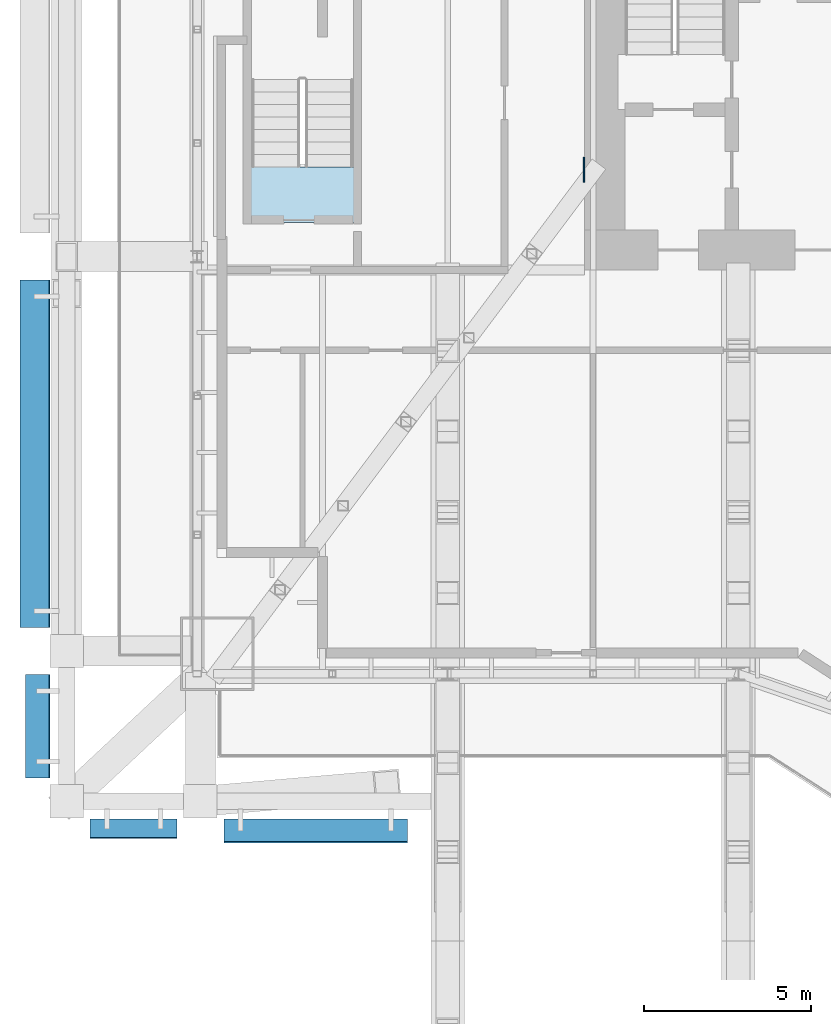
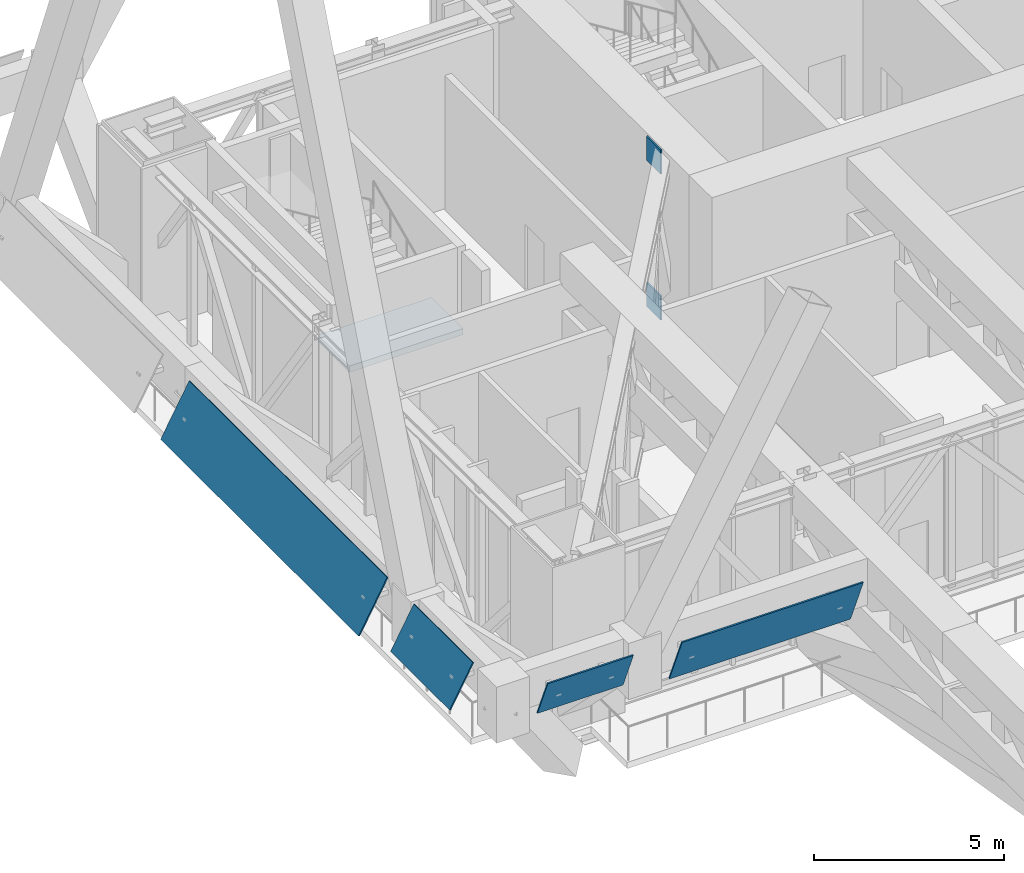
# One storey, part 20 of 30: 6 plates, 1 slab, 1 element without a shape of its own.
"""IFC4 building model written with IfcOpenShell, lengths in metres."""

from ifc_helpers import new_model, si_unit, direction, frame, origin, origin_2d, place, context, subcontext, project, spatial, polyline, rectangle, outline, extrude, material, layer, layer_set, type_object, element, aggregate, save


model = new_model("IFC4")

# Units and contexts
model_context = context("Model", 3, precision=1e-05, world=origin(), true_north=direction((0.0, 1.0)))
body_context = subcontext(model_context, "Body", "Model", "MODEL_VIEW")
ifc_project = project(units=[si_unit("LENGTHUNIT", "METRE"), si_unit("AREAUNIT", "SQUARE_METRE"), si_unit("VOLUMEUNIT", "CUBIC_METRE"), si_unit("PLANEANGLEUNIT", "RADIAN"), si_unit("MASSUNIT", "GRAM", prefix="KILO")], contexts=[model_context])

# Site, building, storey
site_placement = place(None, origin())
site = spatial("IfcSite", under=ifc_project, at=site_placement, CompositionType="ELEMENT")
building_placement = place(site_placement, origin())
building = spatial("IfcBuilding", under=site, at=building_placement, Name="Bicima Exchange Tower", CompositionType="ELEMENT")
storey_placement = place(building_placement, frame((0.0, 0.0, 287.60009765625)))
storey = spatial("IfcBuildingStorey", under=building, at=storey_placement, Name="L65", CompositionType="ELEMENT", Elevation=287.60009765625)

# Plates
ifc_material_1 = material(Name="Dark tinted spandrel glass", Category="glass")
ifc_layer_1 = layer(ifc_material_1, 0.0400390625)
ifc_layer_set_1 = layer_set([ifc_layer_1], Name="Dark tinted spandrel glass")
plate_type_1 = type_object("IfcPlateType", Name="Belt fascia glass panel 40", PredefinedType="SHEET", material=ifc_layer_set_1)
plate_1_placement = place(storey_placement, frame((-36.800048828125, -29.4306640625, 4.0498046875), z_axis=(0.0, 0.919715682457, 0.39258510344), x_axis=(1.0, 0.0, 0.0)))
element("IfcPlate", 1, at=plate_1_placement, inside=storey, type_object=plate_type_1, Name="Belt fascia glass panel", PredefinedType="SHEET", context=body_context, shape_type="SweptSolid", body=[
    extrude(outline(polyline([(0.0, 0.0), (2.60009765625, 0.0), (2.60009765625, -1.3917663048388182), (0.0, -1.3917663048388182), (0.0, 0.0)])), origin(), (0.0, 0.0, -1.0), 0.0400390625),
])
plate_2_placement = place(storey_placement, frame((-32.800048828125, -29.4306640625, 3.75), z_axis=(0.0, 0.919724804626, 0.392563732094), x_axis=(1.0, 0.0, 0.0)))
element("IfcPlate", 2, at=plate_2_placement, inside=storey, type_object=plate_type_1, Name="Belt fascia glass panel", PredefinedType="SHEET", context=body_context, shape_type="SweptSolid", body=[
    extrude(outline(polyline([(0.0, 0.0), (5.5, 0.0), (5.5, -1.7177246676706084), (0.0, -1.7177246676706084), (0.0, 0.0)])), origin(), (0.0, 0.0, -1.0), 0.0400390625),
])
plate_3_placement = place(storey_placement, frame((-38.897216796875, -13.300048828125, 3.75), z_axis=(-0.876618888201, 0.0, 0.481185333162), x_axis=(0.0, -1.0, 0.0)))
element("IfcPlate", 3, at=plate_3_placement, inside=storey, type_object=plate_type_1, Name="Belt fascia glass panel", PredefinedType="SHEET", context=body_context, shape_type="SweptSolid", body=[
    extrude(outline(polyline([(0.0, 0.0), (10.400634765625, 0.0), (10.400634765625, 1.8021902170255055), (0.0, 1.8021902170255055), (0.0, 0.0)])), origin(), (0.0, 0.0, -1.0), 0.0400390625),
])
plate_4_placement = place(storey_placement, frame((-38.732421875, -25.1005859375, 4.0498046875), z_axis=(-0.876685030348, 0.0, 0.481064816386), x_axis=(0.0, -1.0, 0.0)))
element("IfcPlate", 4, at=plate_4_placement, inside=storey, type_object=plate_type_1, Name="Belt fascia glass panel", PredefinedType="SHEET", context=body_context, shape_type="SweptSolid", body=[
    extrude(outline(polyline([(0.0, 0.0), (3.10009765625, 0.0), (3.10009765625, 1.4600788796032191), (0.0, 1.4600788796032191), (0.0, 0.0)])), origin(), (0.0, 0.0, -1.0), 0.0400390625),
])
ifc_material_2 = material(Name="Steel ASTM A572 Gr 50", Category="steel")
ifc_layer_2 = layer(ifc_material_2, 0.0400390625)
ifc_layer_set_2 = layer_set([ifc_layer_2], Name="Steel ASTM A572 Gr 50")
plate_type_2 = type_object("IfcPlateType", Name="Cast-in plate 40", PredefinedType="SHEET", material=ifc_layer_set_2)
for number, where, z_axis, x_axis, name in (
    (5, (-22.02001953125, -10.0, 4.580810546875), (0.0, 0.0, 1.0), (1.0, 0.0, 0.0), "Cast-in plate at core wall"),
    (6, (-22.02001953125, -10.0, -0.10009765625), (0.0, 0.0, 1.0), (1.0, 0.0, 0.0), "Cast-in plate at core wall"),
):
    element("IfcPlate", number, at=place(storey_placement, frame(where, z_axis=z_axis, x_axis=x_axis)), inside=storey, type_object=plate_type_2, Name=name, PredefinedType="SHEET", context=body_context, shape_type="SweptSolid", body=[
        extrude(rectangle(XDim=0.0400390625, YDim=0.754638671875, at=origin_2d()), origin(), (0.0, 0.0, 1.0), 0.76904296875),
    ])

# Stair, slab
ifc_material_3 = material(Name="Concrete C50/60", Category="concrete")
stair_type = type_object("IfcStairType", Name="Exit stair", PredefinedType="HALF_TURN_STAIR", material=ifc_material_3)
stair_placement = place(storey_placement, origin())
stair = element("IfcStair", 7, at=stair_placement, inside=storey, type_object=stair_type, Name="L65 West end exit stair", PredefinedType="HALF_TURN_STAIR")
ifc_layer_3 = layer(ifc_material_3, 0.199951171875)
ifc_layer_set_3 = layer_set([ifc_layer_3], Name="Concrete C50/60")
slab_type = type_object("IfcSlabType", Name="Stair landing slab", PredefinedType="LANDING", material=ifc_layer_set_3)
slab_placement = place(storey_placement, frame((0.0, 0.0, 2.5)))
slab = element("IfcSlab", 8, at=slab_placement, type_object=slab_type, Name="ST-WW landing 2", PredefinedType="LANDING", context=body_context, shape_type="SweptSolid", body=[
    extrude(outline(polyline([(-28.72509765625, -11.574951171875), (-28.72509765625, -9.925048828125), (-32.175048828125, -9.925048828125), (-32.175048828125, -11.574951171875), (-28.72509765625, -11.574951171875)])), origin(), (0.0, 0.0, 1.0), 0.199951171875),
])
aggregate(stair, [slab])

save(model, "model.ifc")
